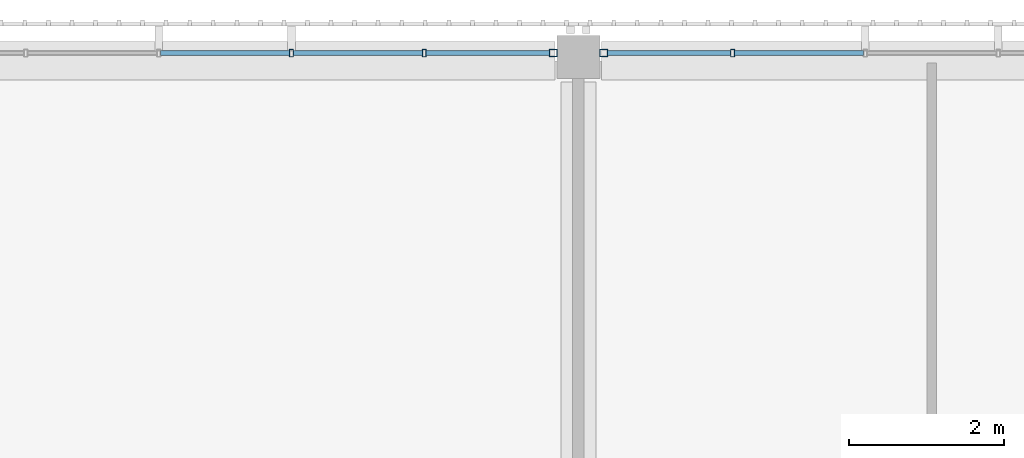
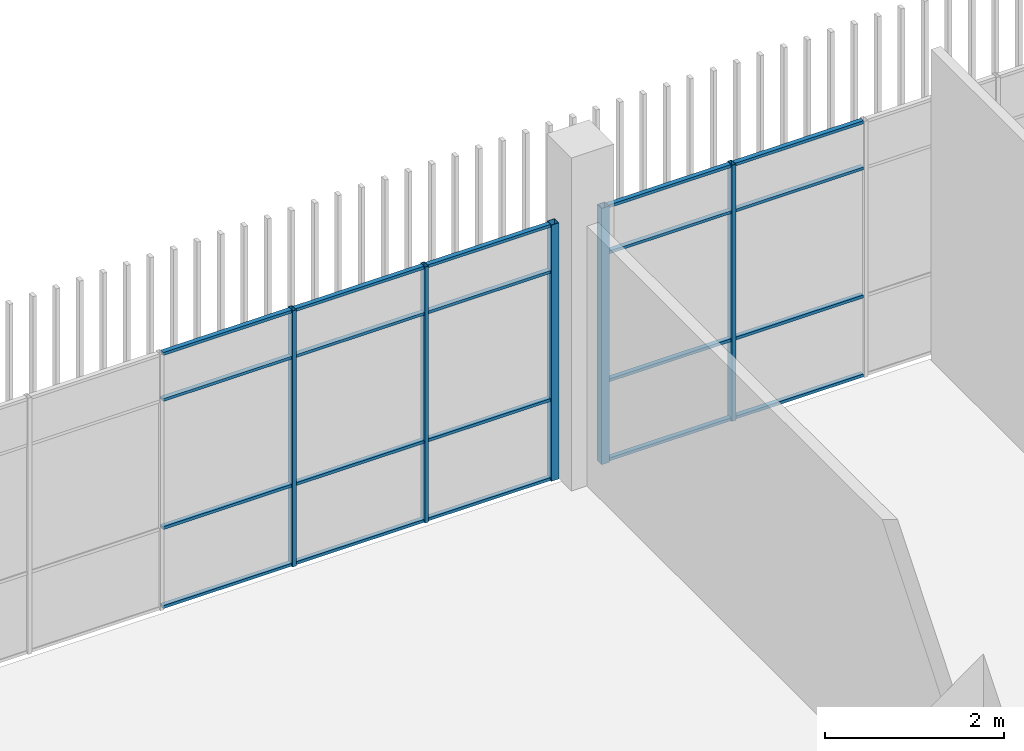
# One storey, part 36 of 104: 25 members, 2 elements without a shape of their own.
"""IFC4 building model written with IfcOpenShell, lengths in metres."""

from ifc_helpers import new_model, si_unit, direction, frame, origin, origin_2d, place, context, subcontext, project, spatial, hollow_rectangle, extrude, material, layer, layer_set, material_profile, profile_set, type_object, element, aggregate, save


model = new_model("IFC4")

# Units and contexts
model_context = context("Model", 3, precision=1e-05, world=origin(), true_north=direction((0.0, 1.0)))
body_context = subcontext(model_context, "Body", "Model", "MODEL_VIEW")
ifc_project = project(units=[si_unit("LENGTHUNIT", "METRE"), si_unit("AREAUNIT", "SQUARE_METRE"), si_unit("VOLUMEUNIT", "CUBIC_METRE"), si_unit("PLANEANGLEUNIT", "RADIAN"), si_unit("MASSUNIT", "GRAM", prefix="KILO")], contexts=[model_context])

# Site, building, storey
site_placement = place(None, origin())
site = spatial("IfcSite", under=ifc_project, at=site_placement, CompositionType="ELEMENT")
building_placement = place(site_placement, origin())
building = spatial("IfcBuilding", under=site, at=building_placement, Name="Shirokan Park Arena", CompositionType="ELEMENT")
storey_placement = place(building_placement, frame((0.0, 0.0, 10.919921875)))
storey = spatial("IfcBuildingStorey", under=building, at=storey_placement, Name="L02", CompositionType="ELEMENT", Elevation=10.919921875)

# Curtain wall, member
ifc_material_1 = material(Name="Steel and glass curtain wall", Category="steel")
ifc_layer = layer(ifc_material_1, 0.10009765625)
ifc_layer_set = layer_set([ifc_layer], Name="Steel and glass curtain wall 100 mm")
curtain_wall_type = type_object("IfcCurtainWallType", Name="Curtain wall sheltered bay 100", PredefinedType="NOTDEFINED", material=ifc_layer_set)
curtain_wall_1_placement = place(storey_placement, origin())
curtain_wall_1 = element("IfcCurtainWall", 1, at=curtain_wall_1_placement, inside=storey, type_object=curtain_wall_type, Name="Curtain wall north bay 5 L02", PredefinedType="NOTDEFINED")
ifc_material_2 = material(Name="Steel S355", Category="steel")
ifc_material_profile_1 = material_profile(ifc_material_2, hollow_rectangle(XDim=0.10009765625, YDim=0.10009765625, WallThickness=0.006103515625, at=origin_2d()), Name="RHS 100x100x6")
ifc_profile_set_1 = profile_set([ifc_material_profile_1], Name="Steel S355")
member_type_1 = type_object("IfcMemberType", Name="Mullion RHS 100x100x6", PredefinedType="MULLION", material=ifc_profile_set_1)
member_1_placement = place(storey_placement, frame((100.425048828125, 109.300048828125, 0.0), z_axis=(0.0, 0.0, 1.0), x_axis=(0.0, -1.0, 0.0)))
member_1 = element("IfcMember", 2, at=member_1_placement, type_object=member_type_1, Name="CW2 mullion 6", PredefinedType="MULLION", context=body_context, shape_type="SweptSolid", body=[
    extrude(hollow_rectangle(XDim=0.10009765625, YDim=0.10009765625, WallThickness=0.006103515625, at=origin_2d()), origin(), (0.0, 0.0, 1.0), 3.5),
])

curtain_wall_2_placement = place(storey_placement, origin())
curtain_wall_2 = element("IfcCurtainWall", 3, at=curtain_wall_2_placement, inside=storey, type_object=curtain_wall_type, Name="Curtain wall north bay 6 L02", PredefinedType="NOTDEFINED")
member_2_placement = place(storey_placement, frame((99.77490234375, 109.300048828125, 0.0), z_axis=(0.0, 0.0, 1.0), x_axis=(0.0, -1.0, 0.0)))
member_2 = element("IfcMember", 4, at=member_2_placement, type_object=member_type_1, Name="CW2 mullion 1", PredefinedType="MULLION", context=body_context, shape_type="SweptSolid", body=[
    extrude(hollow_rectangle(XDim=0.10009765625, YDim=0.10009765625, WallThickness=0.006103515625, at=origin_2d()), origin(), (0.0, 0.0, 1.0), 3.5),
])

# Member
ifc_material_profile_2 = material_profile(ifc_material_2, hollow_rectangle(XDim=0.10009765625, YDim=0.050048828125, WallThickness=0.0048828125, at=origin_2d()), Name="RHS 100x50x5")
ifc_profile_set_2 = profile_set([ifc_material_profile_2], Name="Steel S355")
member_type_2 = type_object("IfcMemberType", Name="Mullion RHS 100x50x5", PredefinedType="MULLION", material=ifc_profile_set_2)
member_3_placement = place(storey_placement, frame((102.0849609375, 109.300048828125, 0.0), z_axis=(0.0, 0.0, 1.0), x_axis=(0.0, -1.0, 0.0)))
member_3 = element("IfcMember", 5, at=member_3_placement, type_object=member_type_2, Name="CW2 mullion 5", PredefinedType="MULLION", context=body_context, shape_type="SweptSolid", body=[
    extrude(hollow_rectangle(XDim=0.10009765625, YDim=0.050048828125, WallThickness=0.0048828125, at=origin_2d()), origin(), (0.0, 0.0, 1.0), 3.5),
])

member_4_placement = place(storey_placement, frame((98.114990234375, 109.300048828125, 0.0), z_axis=(0.0, 0.0, 1.0), x_axis=(0.0, -1.0, 0.0)))
member_4 = element("IfcMember", 6, at=member_4_placement, type_object=member_type_2, Name="CW2 mullion 2", PredefinedType="MULLION", context=body_context, shape_type="SweptSolid", body=[
    extrude(hollow_rectangle(XDim=0.10009765625, YDim=0.050048828125, WallThickness=0.0048828125, at=origin_2d()), origin(), (0.0, 0.0, 1.0), 3.5),
])

member_5_placement = place(storey_placement, frame((96.405029296875, 109.300048828125, 0.0), z_axis=(0.0, 0.0, 1.0), x_axis=(0.0, -1.0, 0.0)))
member_5 = element("IfcMember", 7, at=member_5_placement, type_object=member_type_2, Name="CW2 mullion 3", PredefinedType="MULLION", context=body_context, shape_type="SweptSolid", body=[
    extrude(hollow_rectangle(XDim=0.10009765625, YDim=0.050048828125, WallThickness=0.0048828125, at=origin_2d()), origin(), (0.0, 0.0, 1.0), 3.5),
])

ifc_material_profile_3 = material_profile(ifc_material_2, hollow_rectangle(XDim=0.06005859375, YDim=0.0400390625, WallThickness=0.00390625, at=origin_2d()), Name="RHS 60x40x4")
ifc_profile_set_3 = profile_set([ifc_material_profile_3], Name="Steel S355")
member_type_3 = type_object("IfcMemberType", Name="Transom RHS 60x40x4", PredefinedType="MULLION", material=ifc_profile_set_3)
member_6_placement = place(storey_placement, frame((103.77001953125, 109.300048828125, 0.02001953125), z_axis=(-1.0, 0.0, 0.0), x_axis=(0.0, -1.0, 0.0)))
member_6 = element("IfcMember", 8, at=member_6_placement, type_object=member_type_3, Name="CW2 transom 4.1", PredefinedType="MULLION", context=body_context, shape_type="SweptSolid", body=[
    extrude(hollow_rectangle(XDim=0.06005859375, YDim=0.0400390625, WallThickness=0.00390625, at=origin_2d()), origin(), (0.0, 0.0, 1.0), 1.659912109375),
])

member_7_placement = place(storey_placement, frame((103.77001953125, 109.300048828125, 1.10009765625), z_axis=(-1.0, 0.0, 0.0), x_axis=(0.0, -1.0, 0.0)))
member_7 = element("IfcMember", 9, at=member_7_placement, type_object=member_type_3, Name="CW2 transom 4.2", PredefinedType="MULLION", context=body_context, shape_type="SweptSolid", body=[
    extrude(hollow_rectangle(XDim=0.06005859375, YDim=0.0400390625, WallThickness=0.00390625, at=origin_2d()), origin(), (0.0, 0.0, 1.0), 1.659912109375),
])

member_8_placement = place(storey_placement, frame((103.77001953125, 109.300048828125, 2.85009765625), z_axis=(-1.0, 0.0, 0.0), x_axis=(0.0, -1.0, 0.0)))
member_8 = element("IfcMember", 10, at=member_8_placement, type_object=member_type_3, Name="CW2 transom 4.3", PredefinedType="MULLION", context=body_context, shape_type="SweptSolid", body=[
    extrude(hollow_rectangle(XDim=0.06005859375, YDim=0.0400390625, WallThickness=0.00390625, at=origin_2d()), origin(), (0.0, 0.0, 1.0), 1.659912109375),
])

member_9_placement = place(storey_placement, frame((103.77001953125, 109.300048828125, 3.47998046875), z_axis=(-1.0, 0.0, 0.0), x_axis=(0.0, -1.0, 0.0)))
member_9 = element("IfcMember", 11, at=member_9_placement, type_object=member_type_3, Name="CW2 transom 4.4", PredefinedType="MULLION", context=body_context, shape_type="SweptSolid", body=[
    extrude(hollow_rectangle(XDim=0.06005859375, YDim=0.0400390625, WallThickness=0.00390625, at=origin_2d()), origin(), (0.0, 0.0, 1.0), 1.659912109375),
])

member_10_placement = place(storey_placement, frame((102.06005859375, 109.300048828125, 0.02001953125), z_axis=(-1.0, 0.0, 0.0), x_axis=(0.0, -1.0, 0.0)))
member_10 = element("IfcMember", 12, at=member_10_placement, type_object=member_type_3, Name="CW2 transom 5.1", PredefinedType="MULLION", context=body_context, shape_type="SweptSolid", body=[
    extrude(hollow_rectangle(XDim=0.06005859375, YDim=0.0400390625, WallThickness=0.00390625, at=origin_2d()), origin(), (0.0, 0.0, 1.0), 1.5849609375),
])

member_11_placement = place(storey_placement, frame((102.06005859375, 109.300048828125, 1.10009765625), z_axis=(-1.0, 0.0, 0.0), x_axis=(0.0, -1.0, 0.0)))
member_11 = element("IfcMember", 13, at=member_11_placement, type_object=member_type_3, Name="CW2 transom 5.2", PredefinedType="MULLION", context=body_context, shape_type="SweptSolid", body=[
    extrude(hollow_rectangle(XDim=0.06005859375, YDim=0.0400390625, WallThickness=0.00390625, at=origin_2d()), origin(), (0.0, 0.0, 1.0), 1.5849609375),
])

member_12_placement = place(storey_placement, frame((102.06005859375, 109.300048828125, 2.85009765625), z_axis=(-1.0, 0.0, 0.0), x_axis=(0.0, -1.0, 0.0)))
member_12 = element("IfcMember", 14, at=member_12_placement, type_object=member_type_3, Name="CW2 transom 5.3", PredefinedType="MULLION", context=body_context, shape_type="SweptSolid", body=[
    extrude(hollow_rectangle(XDim=0.06005859375, YDim=0.0400390625, WallThickness=0.00390625, at=origin_2d()), origin(), (0.0, 0.0, 1.0), 1.5849609375),
])

member_13_placement = place(storey_placement, frame((102.06005859375, 109.300048828125, 3.47998046875), z_axis=(-1.0, 0.0, 0.0), x_axis=(0.0, -1.0, 0.0)))
member_13 = element("IfcMember", 15, at=member_13_placement, type_object=member_type_3, Name="CW2 transom 5.4", PredefinedType="MULLION", context=body_context, shape_type="SweptSolid", body=[
    extrude(hollow_rectangle(XDim=0.06005859375, YDim=0.0400390625, WallThickness=0.00390625, at=origin_2d()), origin(), (0.0, 0.0, 1.0), 1.5849609375),
])

aggregate(curtain_wall_1, [member_3, member_1, member_6, member_7, member_8, member_9, member_10, member_11, member_12, member_13])

member_14_placement = place(storey_placement, frame((99.72509765625, 109.300048828125, 0.02001953125), z_axis=(-1.0, 0.0, 0.0), x_axis=(0.0, -1.0, 0.0)))
member_14 = element("IfcMember", 16, at=member_14_placement, type_object=member_type_3, Name="CW2 transom 1.1", PredefinedType="MULLION", context=body_context, shape_type="SweptSolid", body=[
    extrude(hollow_rectangle(XDim=0.06005859375, YDim=0.0400390625, WallThickness=0.00390625, at=origin_2d()), origin(), (0.0, 0.0, 1.0), 1.585205078125),
])

member_15_placement = place(storey_placement, frame((99.72509765625, 109.300048828125, 1.10009765625), z_axis=(-1.0, 0.0, 0.0), x_axis=(0.0, -1.0, 0.0)))
member_15 = element("IfcMember", 17, at=member_15_placement, type_object=member_type_3, Name="CW2 transom 1.2", PredefinedType="MULLION", context=body_context, shape_type="SweptSolid", body=[
    extrude(hollow_rectangle(XDim=0.06005859375, YDim=0.0400390625, WallThickness=0.00390625, at=origin_2d()), origin(), (0.0, 0.0, 1.0), 1.585205078125),
])

member_16_placement = place(storey_placement, frame((99.72509765625, 109.300048828125, 2.85009765625), z_axis=(-1.0, 0.0, 0.0), x_axis=(0.0, -1.0, 0.0)))
member_16 = element("IfcMember", 18, at=member_16_placement, type_object=member_type_3, Name="CW2 transom 1.3", PredefinedType="MULLION", context=body_context, shape_type="SweptSolid", body=[
    extrude(hollow_rectangle(XDim=0.06005859375, YDim=0.0400390625, WallThickness=0.00390625, at=origin_2d()), origin(), (0.0, 0.0, 1.0), 1.585205078125),
])

member_17_placement = place(storey_placement, frame((99.72509765625, 109.300048828125, 3.47998046875), z_axis=(-1.0, 0.0, 0.0), x_axis=(0.0, -1.0, 0.0)))
member_17 = element("IfcMember", 19, at=member_17_placement, type_object=member_type_3, Name="CW2 transom 1.4", PredefinedType="MULLION", context=body_context, shape_type="SweptSolid", body=[
    extrude(hollow_rectangle(XDim=0.06005859375, YDim=0.0400390625, WallThickness=0.00390625, at=origin_2d()), origin(), (0.0, 0.0, 1.0), 1.585205078125),
])

member_18_placement = place(storey_placement, frame((98.090087890625, 109.300048828125, 0.02001953125), z_axis=(-1.0, 0.0, 0.0), x_axis=(0.0, -1.0, 0.0)))
member_18 = element("IfcMember", 20, at=member_18_placement, type_object=member_type_3, Name="CW2 transom 2.1", PredefinedType="MULLION", context=body_context, shape_type="SweptSolid", body=[
    extrude(hollow_rectangle(XDim=0.06005859375, YDim=0.0400390625, WallThickness=0.00390625, at=origin_2d()), origin(), (0.0, 0.0, 1.0), 1.66015625),
])

member_19_placement = place(storey_placement, frame((98.090087890625, 109.300048828125, 1.10009765625), z_axis=(-1.0, 0.0, 0.0), x_axis=(0.0, -1.0, 0.0)))
member_19 = element("IfcMember", 21, at=member_19_placement, type_object=member_type_3, Name="CW2 transom 2.2", PredefinedType="MULLION", context=body_context, shape_type="SweptSolid", body=[
    extrude(hollow_rectangle(XDim=0.06005859375, YDim=0.0400390625, WallThickness=0.00390625, at=origin_2d()), origin(), (0.0, 0.0, 1.0), 1.66015625),
])

member_20_placement = place(storey_placement, frame((98.090087890625, 109.300048828125, 2.85009765625), z_axis=(-1.0, 0.0, 0.0), x_axis=(0.0, -1.0, 0.0)))
member_20 = element("IfcMember", 22, at=member_20_placement, type_object=member_type_3, Name="CW2 transom 2.3", PredefinedType="MULLION", context=body_context, shape_type="SweptSolid", body=[
    extrude(hollow_rectangle(XDim=0.06005859375, YDim=0.0400390625, WallThickness=0.00390625, at=origin_2d()), origin(), (0.0, 0.0, 1.0), 1.66015625),
])

member_21_placement = place(storey_placement, frame((98.090087890625, 109.300048828125, 3.47998046875), z_axis=(-1.0, 0.0, 0.0), x_axis=(0.0, -1.0, 0.0)))
member_21 = element("IfcMember", 23, at=member_21_placement, type_object=member_type_3, Name="CW2 transom 2.4", PredefinedType="MULLION", context=body_context, shape_type="SweptSolid", body=[
    extrude(hollow_rectangle(XDim=0.06005859375, YDim=0.0400390625, WallThickness=0.00390625, at=origin_2d()), origin(), (0.0, 0.0, 1.0), 1.66015625),
])

member_22_placement = place(storey_placement, frame((96.3798828125, 109.300048828125, 0.02001953125), z_axis=(-1.0, 0.0, 0.0), x_axis=(0.0, -1.0, 0.0)))
member_22 = element("IfcMember", 24, at=member_22_placement, type_object=member_type_3, Name="CW2 transom 3.1", PredefinedType="MULLION", context=body_context, shape_type="SweptSolid", body=[
    extrude(hollow_rectangle(XDim=0.06005859375, YDim=0.0400390625, WallThickness=0.00390625, at=origin_2d()), origin(), (0.0, 0.0, 1.0), 1.659912109375),
])

member_23_placement = place(storey_placement, frame((96.3798828125, 109.300048828125, 1.10009765625), z_axis=(-1.0, 0.0, 0.0), x_axis=(0.0, -1.0, 0.0)))
member_23 = element("IfcMember", 25, at=member_23_placement, type_object=member_type_3, Name="CW2 transom 3.2", PredefinedType="MULLION", context=body_context, shape_type="SweptSolid", body=[
    extrude(hollow_rectangle(XDim=0.06005859375, YDim=0.0400390625, WallThickness=0.00390625, at=origin_2d()), origin(), (0.0, 0.0, 1.0), 1.659912109375),
])

member_24_placement = place(storey_placement, frame((96.3798828125, 109.300048828125, 2.85009765625), z_axis=(-1.0, 0.0, 0.0), x_axis=(0.0, -1.0, 0.0)))
member_24 = element("IfcMember", 26, at=member_24_placement, type_object=member_type_3, Name="CW2 transom 3.3", PredefinedType="MULLION", context=body_context, shape_type="SweptSolid", body=[
    extrude(hollow_rectangle(XDim=0.06005859375, YDim=0.0400390625, WallThickness=0.00390625, at=origin_2d()), origin(), (0.0, 0.0, 1.0), 1.659912109375),
])

member_25_placement = place(storey_placement, frame((96.3798828125, 109.300048828125, 3.47998046875), z_axis=(-1.0, 0.0, 0.0), x_axis=(0.0, -1.0, 0.0)))
member_25 = element("IfcMember", 27, at=member_25_placement, type_object=member_type_3, Name="CW2 transom 3.4", PredefinedType="MULLION", context=body_context, shape_type="SweptSolid", body=[
    extrude(hollow_rectangle(XDim=0.06005859375, YDim=0.0400390625, WallThickness=0.00390625, at=origin_2d()), origin(), (0.0, 0.0, 1.0), 1.659912109375),
])

aggregate(curtain_wall_2, [member_2, member_4, member_5, member_14, member_15, member_16, member_17, member_18, member_19, member_20, member_21, member_22, member_23, member_24, member_25])

save(model, "model.ifc")
